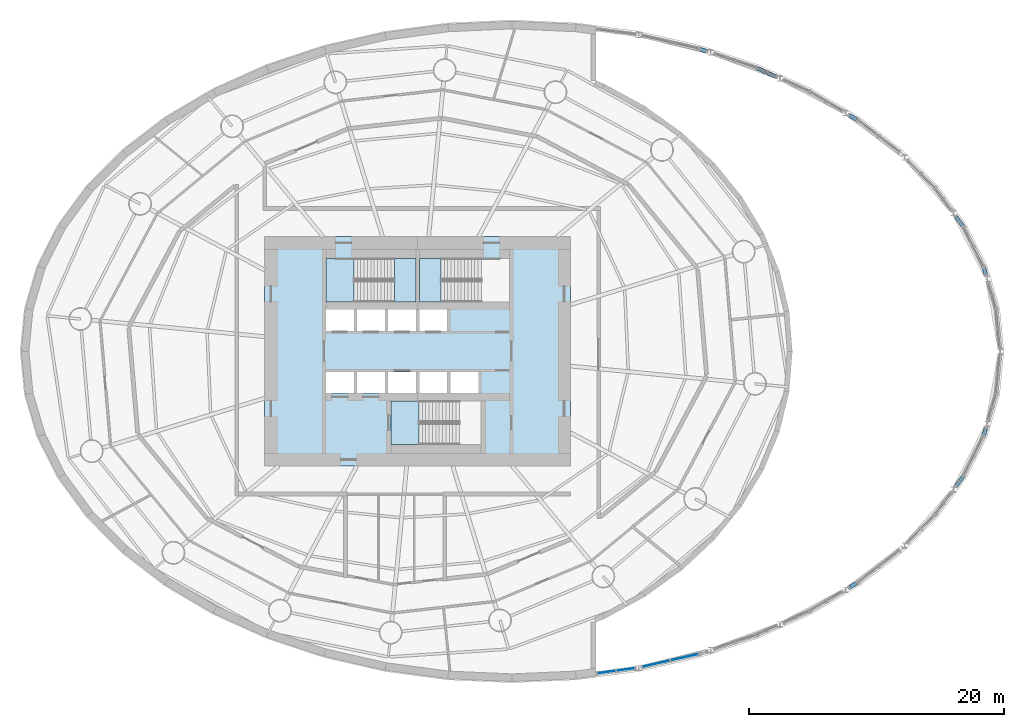
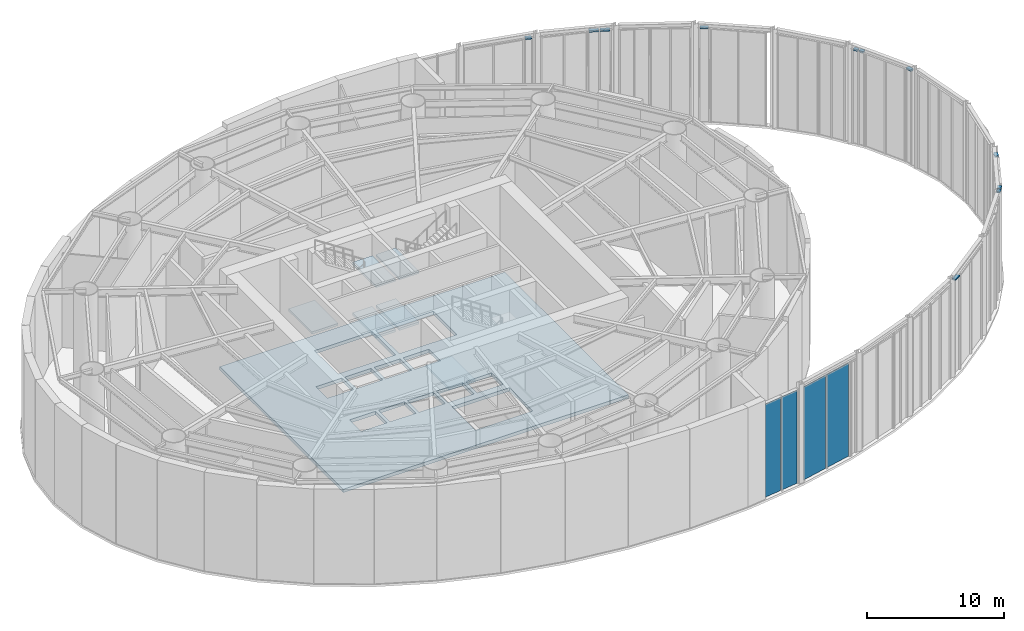
# One storey, part 9 of 19: 11 members, 7 slabs, 4 plates, 13 elements without a shape of their own.
"""IFC4 building model written with IfcOpenShell, lengths in metres."""

from ifc_helpers import new_model, si_unit, direction, frame, origin, origin_2d, place, context, subcontext, project, spatial, polyline, rectangle, outline, extrude, material, layer, layer_set, material_profile, profile_set, type_object, element, aggregate, save


model = new_model("IFC4")

# Units and contexts
model_context = context("Model", 3, precision=1e-05, world=origin(), true_north=direction((0.0, 1.0)))
body_context = subcontext(model_context, "Body", "Model", "MODEL_VIEW")
ifc_project = project(units=[si_unit("LENGTHUNIT", "METRE"), si_unit("AREAUNIT", "SQUARE_METRE"), si_unit("VOLUMEUNIT", "CUBIC_METRE"), si_unit("PLANEANGLEUNIT", "RADIAN"), si_unit("MASSUNIT", "GRAM", prefix="KILO")], contexts=[model_context])

# Site, building, storey
site_placement = place(None, origin())
site = spatial("IfcSite", under=ifc_project, at=site_placement, CompositionType="ELEMENT")
building_placement = place(site_placement, origin())
building = spatial("IfcBuilding", under=site, at=building_placement, Name="Vermilion Reach Broadcast Tower", CompositionType="ELEMENT")
storey_placement = place(building_placement, frame((0.0, 0.0, 8.0)))
storey = spatial("IfcBuildingStorey", under=building, at=storey_placement, Name="L01", CompositionType="ELEMENT", Elevation=8.0)

# Curtain wall, member
ifc_material_1 = material(Name="Low-e laminated clear glass in aluminium frame", Category="aluminium")
curtain_wall_type = type_object("IfcCurtainWallType", Name="Atrium outer wall curtain wall", PredefinedType="NOTDEFINED", material=ifc_material_1)
placement_1 = place(storey_placement, origin())
curtain_wall_1 = element("IfcCurtainWall", 1, at=placement_1, inside=storey, type_object=curtain_wall_type, Name="Atrium wall L01 05-2", PredefinedType="NOTDEFINED")
ifc_material_2 = material(Name="Anodised aluminium", Category="aluminium")
ifc_material_profile = material_profile(ifc_material_2, rectangle(XDim=0.300048828125, YDim=0.1201171875, at=origin_2d()), Name="Atrium outer wall transom 300 x 120")
ifc_profile_set = profile_set([ifc_material_profile], Name="Anodised aluminium")
member_type = type_object("IfcMemberType", Name="Atrium outer wall transom 300 x 120", PredefinedType="USERDEFINED", material=ifc_profile_set)
member_1_placement = place(storey_placement, frame((27.892822265625, -18.5107421875, 8.35009765625), z_axis=(0.860857815455, 0.508845577331, 0.0), x_axis=(-0.508845577331, 0.860857815455, 0.0)))
member_1 = element("IfcMember", 2, at=member_1_placement, type_object=member_type, Name="Atrium wall transom L01 05-2.1.2", ObjectType="TRANSOM", PredefinedType="USERDEFINED", context=body_context, shape_type="SweptSolid", body=[
    extrude(rectangle(XDim=0.300048828125, YDim=0.1201171875, at=origin_2d()), origin(), (0.0, 0.0, 1.0), 0.63671875),
])
aggregate(curtain_wall_1, [member_1])

# Curtain wall, members
curtain_wall_2 = element("IfcCurtainWall", 3, at=placement_1, inside=storey, type_object=curtain_wall_type, Name="Atrium wall L01 08-2", PredefinedType="NOTDEFINED")
member_2_placement = place(storey_placement, frame((36.255126953125, -10.5458984375, 8.35009765625), z_axis=(0.590584029438, 0.806976148454, 0.0), x_axis=(-0.806976148454, 0.590584029438, 0.0)))
member_2 = element("IfcMember", 4, at=member_2_placement, type_object=member_type, Name="Atrium wall transom L01 08-2.1.2", ObjectType="TRANSOM", PredefinedType="USERDEFINED", context=body_context, shape_type="SweptSolid", body=[
    extrude(rectangle(XDim=0.300048828125, YDim=0.1201171875, at=origin_2d()), origin(), (0.0, 0.0, 1.0), 0.36669921875),
])
member_3_placement = place(storey_placement, frame((36.53076171875, -10.169189453125, 8.35009765625), z_axis=(0.59101736398, 0.806658834622, 0.0), x_axis=(-0.806658834622, 0.59101736398, 0.0)))
member_3 = element("IfcMember", 5, at=member_3_placement, type_object=member_type, Name="Atrium wall transom L01 08-2.2.2", ObjectType="TRANSOM", PredefinedType="USERDEFINED", context=body_context, shape_type="SweptSolid", body=[
    extrude(rectangle(XDim=0.300048828125, YDim=0.1201171875, at=origin_2d()), origin(), (0.0, 0.0, 1.0), 0.36669921875),
])
aggregate(curtain_wall_2, [member_2, member_3])

# Curtain wall, member
curtain_wall_3 = element("IfcCurtainWall", 6, at=placement_1, inside=storey, type_object=curtain_wall_type, Name="Atrium wall L01 10-1", PredefinedType="NOTDEFINED")
member_4_placement = place(storey_placement, frame((38.434814453125, -6.5224609375, 8.35009765625), z_axis=(0.283208468401, 0.959058373315, 0.0), x_axis=(-0.959058373315, 0.283208468401, 0.0)))
member_4 = element("IfcMember", 7, at=member_4_placement, type_object=member_type, Name="Atrium wall transom L01 10-1.1.2", ObjectType="TRANSOM", PredefinedType="USERDEFINED", context=body_context, shape_type="SweptSolid", body=[
    extrude(rectangle(XDim=0.300048828125, YDim=0.1201171875, at=origin_2d()), origin(), (0.0, 0.0, 1.0), 0.48193359375),
])
aggregate(curtain_wall_3, [member_4])

curtain_wall_4 = element("IfcCurtainWall", 8, at=placement_1, inside=storey, type_object=curtain_wall_type, Name="Atrium wall L01 13-2", PredefinedType="NOTDEFINED")
member_5_placement = place(storey_placement, frame((38.5712890625, 6.060302734375, 8.35009765625), z_axis=(-0.283208468401, 0.959058373315, 0.0), x_axis=(-0.959058373315, -0.283208468401, 0.0)))
member_5 = element("IfcMember", 9, at=member_5_placement, type_object=member_type, Name="Atrium wall transom L01 13-2.1.2", ObjectType="TRANSOM", PredefinedType="USERDEFINED", context=body_context, shape_type="SweptSolid", body=[
    extrude(rectangle(XDim=0.300048828125, YDim=0.1201171875, at=origin_2d()), origin(), (0.0, 0.0, 1.0), 0.48193359375),
])
aggregate(curtain_wall_4, [member_5])

# Curtain wall, members
curtain_wall_5 = element("IfcCurtainWall", 10, at=placement_1, inside=storey, type_object=curtain_wall_type, Name="Atrium wall L01 15-1", PredefinedType="NOTDEFINED")
member_6_placement = place(storey_placement, frame((36.74755859375, 9.873291015625, 8.35009765625), z_axis=(-0.59101736398, 0.806658834622, 0.0), x_axis=(-0.806658834622, -0.59101736398, 0.0)))
member_6 = element("IfcMember", 11, at=member_6_placement, type_object=member_type, Name="Atrium wall transom L01 15-1.1.2", ObjectType="TRANSOM", PredefinedType="USERDEFINED", context=body_context, shape_type="SweptSolid", body=[
    extrude(rectangle(XDim=0.300048828125, YDim=0.1201171875, at=origin_2d()), origin(), (0.0, 0.0, 1.0), 0.36669921875),
])
member_7_placement = place(storey_placement, frame((36.4716796875, 10.25, 8.35009765625), z_axis=(-0.590584029438, 0.806976148454, 0.0), x_axis=(-0.806976148454, -0.590584029438, 0.0)))
member_7 = element("IfcMember", 12, at=member_7_placement, type_object=member_type, Name="Atrium wall transom L01 15-1.2.2", ObjectType="TRANSOM", PredefinedType="USERDEFINED", context=body_context, shape_type="SweptSolid", body=[
    extrude(rectangle(XDim=0.300048828125, YDim=0.1201171875, at=origin_2d()), origin(), (0.0, 0.0, 1.0), 0.36669921875),
])
aggregate(curtain_wall_5, [member_6, member_7])

# Curtain wall, member
curtain_wall_6 = element("IfcCurtainWall", 13, at=placement_1, inside=storey, type_object=curtain_wall_type, Name="Atrium wall L01 18-1", PredefinedType="NOTDEFINED")
member_8_placement = place(storey_placement, frame((28.44091796875, 18.186767578125, 8.35009765625), z_axis=(-0.860857815455, 0.508845577331, 0.0), x_axis=(-0.508845577331, -0.860857815455, 0.0)))
member_8 = element("IfcMember", 14, at=member_8_placement, type_object=member_type, Name="Atrium wall transom L01 18-1.1.2", ObjectType="TRANSOM", PredefinedType="USERDEFINED", context=body_context, shape_type="SweptSolid", body=[
    extrude(rectangle(XDim=0.300048828125, YDim=0.1201171875, at=origin_2d()), origin(), (0.0, 0.0, 1.0), 0.63671875),
])
aggregate(curtain_wall_6, [member_8])

# Curtain wall, members
curtain_wall_7 = element("IfcCurtainWall", 15, at=placement_1, inside=storey, type_object=curtain_wall_type, Name="Atrium wall L01 19-2", PredefinedType="NOTDEFINED")
member_9_placement = place(storey_placement, frame((22.09033203125, 21.5625, 8.35009765625), z_axis=(-0.911877215452, 0.410463084746, 0.0), x_axis=(-0.410463084746, -0.911877215452, 0.0)))
member_9 = element("IfcMember", 16, at=member_9_placement, type_object=member_type, Name="Atrium wall transom L01 19-2.1.2", ObjectType="TRANSOM", PredefinedType="USERDEFINED", context=body_context, shape_type="SweptSolid", body=[
    extrude(rectangle(XDim=0.300048828125, YDim=0.1201171875, at=origin_2d()), origin(), (0.0, 0.0, 1.0), 0.72216796875),
])
member_10_placement = place(storey_placement, frame((21.3408203125, 21.89990234375, 8.35009765625), z_axis=(-0.911946820137, 0.41030841722, 0.0), x_axis=(-0.41030841722, -0.911946820137, 0.0)))
member_10 = element("IfcMember", 17, at=member_10_placement, type_object=member_type, Name="Atrium wall transom L01 19-2.2.2", ObjectType="TRANSOM", PredefinedType="USERDEFINED", context=body_context, shape_type="SweptSolid", body=[
    extrude(rectangle(XDim=0.300048828125, YDim=0.1201171875, at=origin_2d()), origin(), (0.0, 0.0, 1.0), 0.7216796875),
])
aggregate(curtain_wall_7, [member_9, member_10])

# Curtain wall, member
curtain_wall_8 = element("IfcCurtainWall", 18, at=placement_1, inside=storey, type_object=curtain_wall_type, Name="Atrium wall L01 20-2", PredefinedType="NOTDEFINED")
member_11_placement = place(storey_placement, frame((16.629638671875, 23.552978515625, 8.35009765625), z_axis=(-0.948944103966, 0.315444270113, 0.0), x_axis=(-0.315444270113, -0.948944103966, 0.0)))
member_11 = element("IfcMember", 19, at=member_11_placement, type_object=member_type, Name="Atrium wall transom L01 20-2.1.2", ObjectType="TRANSOM", PredefinedType="USERDEFINED", context=body_context, shape_type="SweptSolid", body=[
    extrude(rectangle(XDim=0.300048828125, YDim=0.1201171875, at=origin_2d()), origin(), (0.0, 0.0, 1.0), 0.467529296875),
])
aggregate(curtain_wall_8, [member_11])

# Curtain wall, plates
curtain_wall_9 = element("IfcCurtainWall", 20, at=placement_1, inside=storey, type_object=curtain_wall_type, Name="Atrium wall L01 01", PredefinedType="NOTDEFINED")
ifc_material_3 = material(Name="Low-e laminated clear glass", Category="glass")
ifc_layer_1 = layer(ifc_material_3, 0.035888671875)
ifc_layer_set_1 = layer_set([ifc_layer_1], Name="Atrium outer wall glass panel")
plate_type = type_object("IfcPlateType", Name="Atrium outer wall glass panel", PredefinedType="CURTAIN_PANEL", material=ifc_layer_set_1)
plate_1_placement = place(storey_placement, frame((8.81591796875, -25.15673828125, 0.0), z_axis=(0.0, 0.0, 1.0), x_axis=(0.991143697753, 0.132793713723, 0.0)))
plate_1 = element("IfcPlate", 21, at=plate_1_placement, type_object=plate_type, Name="Atrium wall glass panel L01 01.1.1", PredefinedType="CURTAIN_PANEL", context=body_context, shape_type="SweptSolid", body=[
    extrude(rectangle(XDim=1.419921875, YDim=0.035888671875, at=origin_2d()), origin(), (0.0, 0.0, 1.0), 8.2900390625),
])
plate_2_placement = place(storey_placement, frame((10.322265625, -24.954833984375, 0.0), z_axis=(0.0, 0.0, 1.0), x_axis=(0.991143697753, 0.132793713723, 0.0)))
plate_2 = element("IfcPlate", 22, at=plate_2_placement, type_object=plate_type, Name="Atrium wall glass panel L01 01.2.1", PredefinedType="CURTAIN_PANEL", context=body_context, shape_type="SweptSolid", body=[
    extrude(rectangle(XDim=1.419921875, YDim=0.035888671875, at=origin_2d()), origin(), (0.0, 0.0, 1.0), 8.2900390625),
])
aggregate(curtain_wall_9, [plate_1, plate_2])

curtain_wall_10 = element("IfcCurtainWall", 23, at=placement_1, inside=storey, type_object=curtain_wall_type, Name="Atrium wall L01 02", PredefinedType="NOTDEFINED")
plate_3_placement = place(storey_placement, frame((12.70654296875, -24.505859375, 0.0), z_axis=(0.0, 0.0, 1.0), x_axis=(0.974843253478, 0.222891523278, 0.0)))
plate_3 = element("IfcPlate", 24, at=plate_3_placement, type_object=plate_type, Name="Atrium wall glass panel L01 02.1.1", PredefinedType="CURTAIN_PANEL", context=body_context, shape_type="SweptSolid", body=[
    extrude(rectangle(XDim=2.18115234375, YDim=0.035888671875, at=origin_2d()), origin(), (0.0, 0.0, 1.0), 8.2900390625),
])
plate_4_placement = place(storey_placement, frame((14.930419921875, -23.997314453125, 0.0), z_axis=(0.0, 0.0, 1.0), x_axis=(0.974843253478, 0.222891523278, 0.0)))
plate_4 = element("IfcPlate", 25, at=plate_4_placement, type_object=plate_type, Name="Atrium wall glass panel L01 02.2.1", PredefinedType="CURTAIN_PANEL", context=body_context, shape_type="SweptSolid", body=[
    extrude(rectangle(XDim=2.18115234375, YDim=0.035888671875, at=origin_2d()), origin(), (0.0, 0.0, 1.0), 8.2900390625),
])
aggregate(curtain_wall_10, [plate_3, plate_4])

# Slab
ifc_material_4 = material(Name="Concrete C40", Category="concrete")
ifc_layer_2 = layer(ifc_material_4, 0.300048828125)
ifc_layer_set_2 = layer_set([ifc_layer_2], Name="Core floor slab 300 mm Concrete C40")
slab_type_1 = type_object("IfcSlabType", Name="Core floor slab 300 mm Concrete C40", PredefinedType="FLOOR", material=ifc_layer_set_2)
slab_1_placement = place(storey_placement, frame((0.0, 0.0, -0.300048828125)))
element("IfcSlab", 26, at=slab_1_placement, inside=storey, type_object=slab_type_1, Name="L01 core floor", PredefinedType="FLOOR", context=body_context, shape_type="SweptSolid", body=[
    extrude(outline(polyline([(-18.0, -9.0), (6.0, -9.0), (6.0, 9.0), (-18.0, 9.0), (-18.0, -9.0)]), holes=[polyline([(-13.199951171875, 1.60009765625), (-11.00830078125, 1.60009765625), (-11.00830078125, 3.280029296875), (-13.199951171875, 3.280029296875), (-13.199951171875, 1.60009765625)]), polyline([(-10.75830078125, 1.60009765625), (-8.566650390625, 1.60009765625), (-8.566650390625, 3.280029296875), (-10.75830078125, 3.280029296875), (-10.75830078125, 1.60009765625)]), polyline([(-8.316650390625, 1.60009765625), (-6.125, 1.60009765625), (-6.125, 3.280029296875), (-8.316650390625, 3.280029296875), (-8.316650390625, 1.60009765625)]), polyline([(-5.875, 1.60009765625), (-3.683349609375, 1.60009765625), (-3.683349609375, 3.280029296875), (-5.875, 3.280029296875), (-5.875, 1.60009765625)]), polyline([(-13.199951171875, -3.280029296875), (-11.00830078125, -3.280029296875), (-11.00830078125, -1.60009765625), (-13.199951171875, -1.60009765625), (-13.199951171875, -3.280029296875)]), polyline([(-10.75830078125, -3.280029296875), (-8.566650390625, -3.280029296875), (-8.566650390625, -1.60009765625), (-10.75830078125, -1.60009765625), (-10.75830078125, -3.280029296875)]), polyline([(-8.316650390625, -3.280029296875), (-6.125, -3.280029296875), (-6.125, -1.60009765625), (-8.316650390625, -1.60009765625), (-8.316650390625, -3.280029296875)]), polyline([(-5.875, -3.280029296875), (-3.683349609375, -3.280029296875), (-3.683349609375, -1.60009765625), (-5.875, -1.60009765625), (-5.875, -3.280029296875)]), polyline([(-3.433349609375, -3.280029296875), (-1.24169921875, -3.280029296875), (-1.24169921875, -1.60009765625), (-3.433349609375, -1.60009765625), (-3.433349609375, -3.280029296875)]), polyline([(-10.999267578125, 3.8798828125), (-6.14990234375, 3.8798828125), (-6.14990234375, 7.300048828125), (-10.999267578125, 7.300048828125), (-10.999267578125, 3.8798828125)]), polyline([(-1.000732421875, 7.300048828125), (-5.85009765625, 7.300048828125), (-5.85009765625, 3.8798828125), (-1.000732421875, 3.8798828125), (-1.000732421875, 7.300048828125)]), polyline([(-5.8994140625, -7.300048828125), (-1.050048828125, -7.300048828125), (-1.050048828125, -3.8798828125), (-5.8994140625, -3.8798828125), (-5.8994140625, -7.300048828125)])]), origin(), (0.0, 0.0, 1.0), 0.300048828125),
])

# Stair, slabs
ifc_material_5 = material(Name="Concrete C40", Category="concrete")
stair_type = type_object("IfcStairType", Name="Exit stair RC 52 risers 173 mm", PredefinedType="HALF_TURN_STAIR", material=ifc_material_5)
stair_1 = element("IfcStair", 27, at=placement_1, inside=storey, type_object=stair_type, Name="L01 Exit stair ST1", PredefinedType="HALF_TURN_STAIR")
ifc_material_6 = material(Name="Concrete C40", Category="concrete")
ifc_layer_3 = layer(ifc_material_6, 0.199951171875)
ifc_layer_set_3 = layer_set([ifc_layer_3], Name="Exit stair landing Concrete C40")
slab_type_2 = type_object("IfcSlabType", Name="Exit stair landing Concrete C40", PredefinedType="LANDING", material=ifc_layer_set_3)
placement_2 = place(storey_placement, frame((0.0, 0.0, 2.050048828125)))
slab_2 = element("IfcSlab", 28, at=placement_2, type_object=slab_type_2, Name="ST1 landing 1", PredefinedType="LANDING", context=body_context, shape_type="SweptSolid", body=[
    extrude(outline(polyline([(-7.820068359375, 3.8798828125), (-6.14990234375, 3.8798828125), (-6.14990234375, 7.300048828125), (-7.820068359375, 7.300048828125), (-7.820068359375, 3.8798828125)])), origin(), (0.0, 0.0, 1.0), 0.199951171875),
])
placement_3 = place(storey_placement, frame((0.0, 0.0, 4.300048828125)))
slab_3 = element("IfcSlab", 29, at=placement_3, type_object=slab_type_2, Name="ST1 landing 2", PredefinedType="LANDING", context=body_context, shape_type="SweptSolid", body=[
    extrude(outline(polyline([(-13.199951171875, 3.8798828125), (-11.0, 3.8798828125), (-11.0, 7.300048828125), (-13.199951171875, 7.300048828125), (-13.199951171875, 3.8798828125)])), origin(), (0.0, 0.0, 1.0), 0.199951171875),
])
placement_4 = place(storey_placement, frame((0.0, 0.0, 6.550048828125)))
slab_4 = element("IfcSlab", 30, at=placement_4, type_object=slab_type_2, Name="ST1 landing 3", PredefinedType="LANDING", context=body_context, shape_type="SweptSolid", body=[
    extrude(outline(polyline([(-7.820068359375, 3.8798828125), (-6.14990234375, 3.8798828125), (-6.14990234375, 7.300048828125), (-7.820068359375, 7.300048828125), (-7.820068359375, 3.8798828125)])), origin(), (0.0, 0.0, 1.0), 0.199951171875),
])
aggregate(stair_1, [slab_2, slab_3, slab_4])

stair_2 = element("IfcStair", 31, at=placement_1, inside=storey, type_object=stair_type, Name="L01 Exit stair ST2", PredefinedType="HALF_TURN_STAIR")
slab_5 = element("IfcSlab", 32, at=placement_2, type_object=slab_type_2, Name="ST2 landing 1", PredefinedType="LANDING", context=body_context, shape_type="SweptSolid", body=[
    extrude(outline(polyline([(-4.179931640625, 7.300048828125), (-5.85009765625, 7.300048828125), (-5.85009765625, 3.8798828125), (-4.179931640625, 3.8798828125), (-4.179931640625, 7.300048828125)])), origin(), (0.0, 0.0, 1.0), 0.199951171875),
])
slab_6 = element("IfcSlab", 33, at=placement_4, type_object=slab_type_2, Name="ST2 landing 3", PredefinedType="LANDING", context=body_context, shape_type="SweptSolid", body=[
    extrude(outline(polyline([(-4.179931640625, 7.300048828125), (-5.85009765625, 7.300048828125), (-5.85009765625, 3.8798828125), (-4.179931640625, 3.8798828125), (-4.179931640625, 7.300048828125)])), origin(), (0.0, 0.0, 1.0), 0.199951171875),
])
aggregate(stair_2, [slab_5, slab_6])

# Stair, slab
stair_3 = element("IfcStair", 34, at=placement_1, inside=storey, type_object=stair_type, Name="L01 Exit stair ST3", PredefinedType="HALF_TURN_STAIR")
slab_7 = element("IfcSlab", 35, at=placement_3, type_object=slab_type_2, Name="ST3 landing 2", PredefinedType="LANDING", context=body_context, shape_type="SweptSolid", body=[
    extrude(outline(polyline([(-8.10009765625, -7.300048828125), (-5.89990234375, -7.300048828125), (-5.89990234375, -3.8798828125), (-8.10009765625, -3.8798828125), (-8.10009765625, -7.300048828125)])), origin(), (0.0, 0.0, 1.0), 0.199951171875),
])
aggregate(stair_3, [slab_7])

save(model, "model.ifc")
